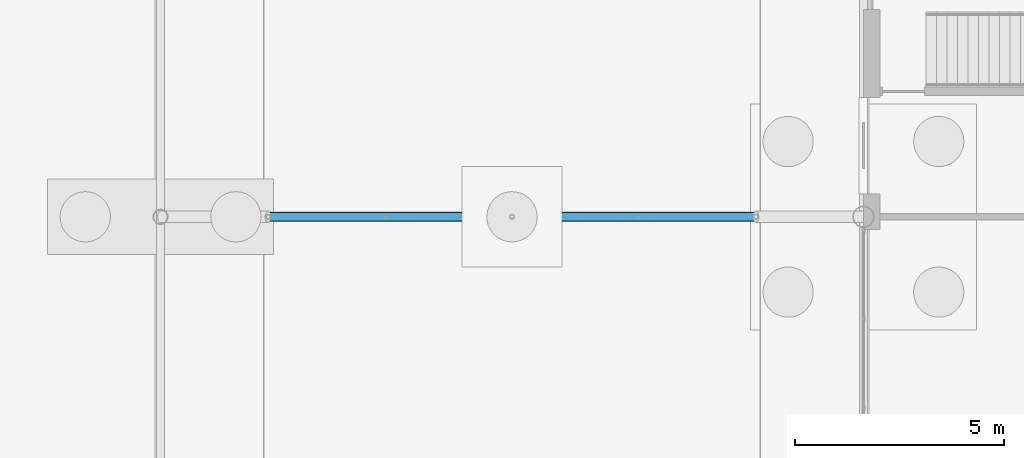
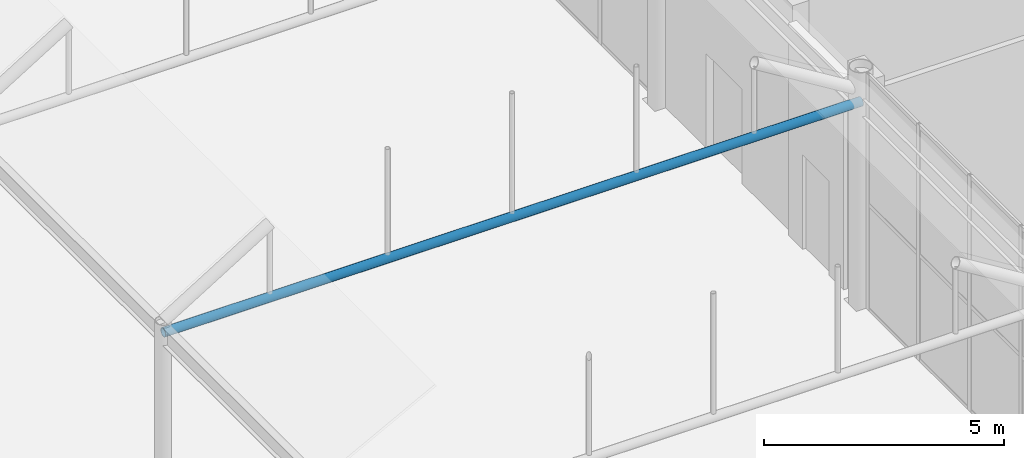
# One storey, part 99 of 212: 1 beam.
"""IFC4 building model written with IfcOpenShell, lengths in metres."""

from ifc_helpers import new_model, si_unit, direction, frame, origin, origin_2d, place, context, subcontext, project, spatial, hollow_circle, extrude, material, material_profile, profile_set, type_object, element, save


model = new_model("IFC4")

# Units and contexts
model_context = context("Model", 3, precision=1e-05, world=origin(), true_north=direction((0.0, 1.0)))
body_context = subcontext(model_context, "Body", "Model", "MODEL_VIEW")
ifc_project = project(units=[si_unit("LENGTHUNIT", "METRE"), si_unit("AREAUNIT", "SQUARE_METRE"), si_unit("VOLUMEUNIT", "CUBIC_METRE"), si_unit("PLANEANGLEUNIT", "RADIAN"), si_unit("MASSUNIT", "GRAM", prefix="KILO")], contexts=[model_context])

# Site, building, storey
site_placement = place(None, origin())
site = spatial("IfcSite", under=ifc_project, at=site_placement, CompositionType="ELEMENT")
building_placement = place(site_placement, origin())
building = spatial("IfcBuilding", under=site, at=building_placement, Name="Catenary Quay Ferry Terminal", CompositionType="ELEMENT")
storey_placement = place(building_placement, origin())
storey = spatial("IfcBuildingStorey", under=building, at=storey_placement, Name="L00", CompositionType="ELEMENT", Elevation=0.0)

# Beam
ifc_material = material(Name="Steel S355", Category="steel")
ifc_material_profile = material_profile(ifc_material, hollow_circle(Radius=0.109619140625, WallThickness=0.010009765625, at=origin_2d()), Name="CHS 219.1x10")
ifc_profile_set = profile_set([ifc_material_profile], Name="Steel S355")
beam_type = type_object("IfcBeamType", Name="TB2 CHS 219.1x10", PredefinedType="BEAM", material=ifc_profile_set)
beam_placement = place(storey_placement, frame((8.39990234375, 100.800048828125, 5.10009765625), z_axis=(1.0, 0.0, 0.0), x_axis=(0.0, 1.0, 0.0)))
element("IfcBeam", 1, at=beam_placement, inside=storey, type_object=beam_type, Name="tie beam FC-05", PredefinedType="BEAM", context=body_context, shape_type="SweptSolid", body=[
    extrude(hollow_circle(Radius=0.109619140625, WallThickness=0.010009765625, at=origin_2d()), origin(), (0.0, 0.0, 1.0), 16.800048828125),
])

save(model, "model.ifc")
